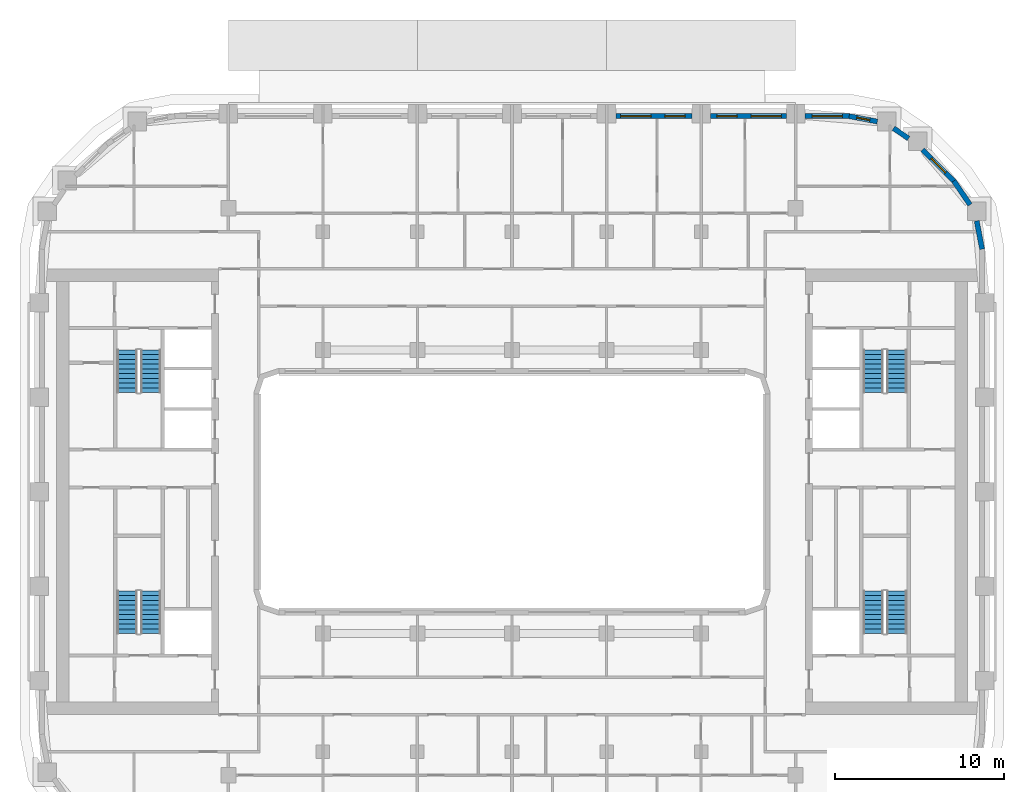
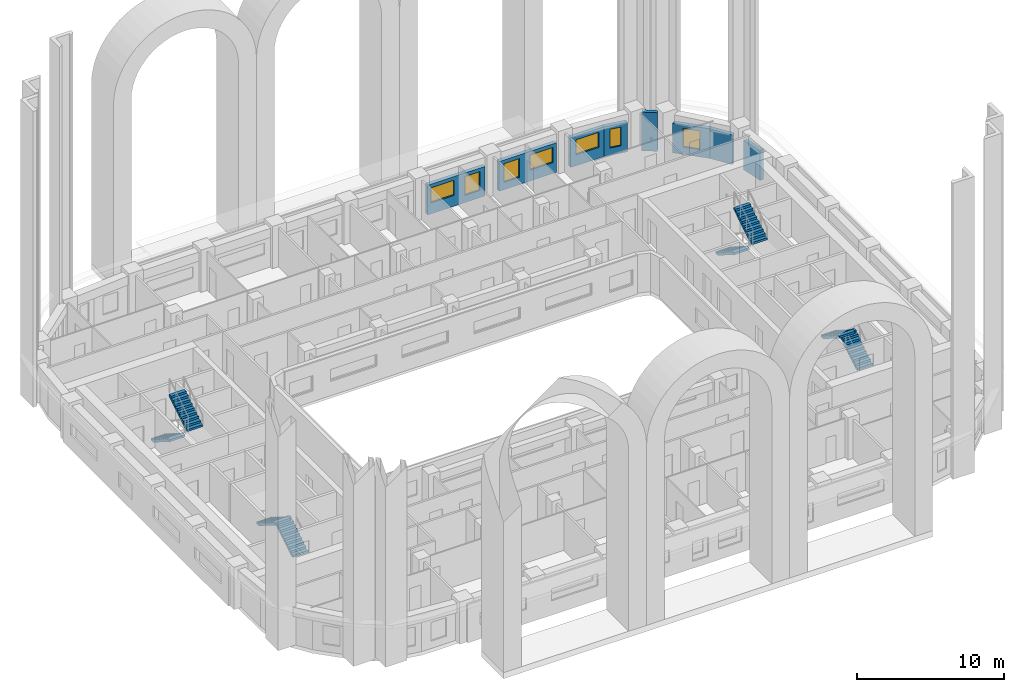
# One storey, part 10 of 18: 8 stair flights, 8 walls, 7 windows, 7 openings, 4 elements without a shape of their own.
"""IFC4 building model written with IfcOpenShell, lengths in metres."""

from ifc_helpers import new_model, si_unit, direction, frame, frame_2d, origin, place, context, subcontext, project, spatial, polyline, rectangle, outline, extrude, material, layer, layer_set, type_object, element, fill, aggregate, save


model = new_model("IFC4")

# Units and contexts
model_context = context("Model", 3, precision=1e-05, world=origin(), true_north=direction((0.0, 1.0)))
body_context = subcontext(model_context, "Body", "Model", "MODEL_VIEW")
ifc_project = project(units=[si_unit("LENGTHUNIT", "METRE"), si_unit("AREAUNIT", "SQUARE_METRE"), si_unit("VOLUMEUNIT", "CUBIC_METRE"), si_unit("PLANEANGLEUNIT", "RADIAN"), si_unit("MASSUNIT", "GRAM", prefix="KILO")], contexts=[model_context])

# Site, building, storey
site_placement = place(None, origin())
site = spatial("IfcSite", under=ifc_project, at=site_placement, CompositionType="ELEMENT")
building_placement = place(site_placement, origin())
building = spatial("IfcBuilding", under=site, at=building_placement, Name="Kiln Ring Residences", CompositionType="ELEMENT")
storey_placement = place(building_placement, frame((0.0, 0.0, 136.10009765625)))
storey = spatial("IfcBuildingStorey", under=building, at=storey_placement, Name="L34", CompositionType="ELEMENT", Elevation=136.10009765625)

# Walls
ifc_material_1 = material(Name="Brick masonry, dark clay brick", Category="masonry")
ifc_layer = layer(ifc_material_1, 0.300048828125)
ifc_layer_set = layer_set([ifc_layer], Name="EW-300 BRICK WALL")
wall_type = type_object("IfcWallType", Name="EW-300 BRICK WALL", PredefinedType="SOLIDWALL", material=ifc_layer_set)
wall_1_placement = place(storey_placement, frame((27.8525390625, 14.371826171875, 0.0), z_axis=(0.0, 0.0, 1.0), x_axis=(-0.187302784601, 0.982302227871, 0.0)))
element("IfcWall", 1, at=wall_1_placement, inside=storey, type_object=wall_type, Name="Facade wall L34 23", PredefinedType="SOLIDWALL", context=body_context, shape_type="SweptSolid", body=[
    extrude(rectangle(XDim=1.706298828125, YDim=0.300048828125, at=frame_2d((0.85302734375, 0.0))), origin(), (0.0, 0.0, 1.0), 2.449951171875),
])
wall_2_placement = place(storey_placement, frame((27.137939453125, 17.001708984375, 0.0), z_axis=(0.0, 0.0, 1.0), x_axis=(-0.562075160946, 0.827086158419, 0.0)))
element("IfcWall", 2, at=wall_2_placement, inside=storey, type_object=wall_type, Name="Facade wall L34 24", PredefinedType="SOLIDWALL", context=body_context, shape_type="SweptSolid", body=[
    extrude(rectangle(XDim=1.7060546875, YDim=0.300048828125, at=frame_2d((0.85302734375, 0.0))), origin(), (0.0, 0.0, 1.0), 2.449951171875),
])

# Wall, opening, window
wall_3_placement = place(storey_placement, frame((26.19677734375, 18.390869140625, 0.0), z_axis=(0.0, 0.0, 1.0), x_axis=(-0.707060717099, 0.707152842274, 0.0)))
wall_3 = element("IfcWall", 3, at=wall_3_placement, inside=storey, type_object=wall_type, Name="Facade wall L34 25", PredefinedType="SOLIDWALL", context=body_context, shape_type="SweptSolid", body=[
    extrude(rectangle(XDim=2.650146484375, YDim=0.300048828125, at=frame_2d((1.3251953125, 0.0))), origin(), (0.0, 0.0, 1.0), 2.449951171875),
])
opening_1_placement = place(wall_3_placement, frame((0.72509765625, 0.0, 0.60009765625)))
opening_1 = element("IfcOpeningElement", 4, at=opening_1_placement, cuts=wall_3, Name="Opening W1", PredefinedType="OPENING", context=body_context, shape_type="SweptSolid", body=[
    extrude(rectangle(XDim=1.199951171875, YDim=1.550048828125, at=frame_2d((0.60009765625, 0.77490234375))), frame((0.0, 0.159912109375, 0.0), z_axis=(0.0, -1.0, 0.0), x_axis=(1.0, 0.0, 0.0)), (0.0, 0.0, 1.0), 0.320068359375),
])
ifc_material_2 = material(Name="Aluminium frame with double glazing", Category="aluminium")
window_type_1 = type_object("IfcWindowType", Name="WINDOW 1200 x 1550", PartitioningType="SINGLE_PANEL", PredefinedType="WINDOW", material=ifc_material_2)
window_1_placement = place(opening_1_placement, origin())
window_1 = element("IfcWindow", 5, at=window_1_placement, inside=storey, type_object=window_type_1, Name="Window L34 16", OverallHeight=1.550048828125, OverallWidth=1.199951171875, PartitioningType="SINGLE_PANEL", PredefinedType="WINDOW", context=body_context, shape_type="SweptSolid", body=[
    extrude(rectangle(XDim=1.199951171875, YDim=1.550048828125, at=frame_2d((0.60009765625, 0.77490234375))), frame((0.0, 0.030029296875, 0.0), z_axis=(0.0, -1.0, 0.0), x_axis=(1.0, 0.0, 0.0)), (0.0, 0.0, 1.0), 0.06005859375),
])
fill(opening_1, window_1)

# Wall
wall_4_placement = place(storey_placement, frame((23.492431640625, 20.932373046875, 0.0), z_axis=(0.0, 0.0, 1.0), x_axis=(-0.826993959827, 0.562210806023, 0.0)))
element("IfcWall", 6, at=wall_4_placement, inside=storey, type_object=wall_type, Name="Facade wall L34 26", PredefinedType="SOLIDWALL", context=body_context, shape_type="SweptSolid", body=[
    extrude(rectangle(XDim=1.076904296875, YDim=0.300048828125, at=frame_2d((0.53857421875, 0.0))), origin(), (0.0, 0.0, 1.0), 3.199951171875),
])

# Wall, opening, window
wall_5_placement = place(storey_placement, frame((21.647705078125, 21.93310546875, 0.0), z_axis=(0.0, 0.0, 1.0), x_axis=(-0.982297206936, 0.187329114784, 0.0)))
wall_5 = element("IfcWall", 7, at=wall_5_placement, inside=storey, type_object=wall_type, Name="Facade wall L34 27", PredefinedType="SOLIDWALL", context=body_context, shape_type="SweptSolid", body=[
    extrude(rectangle(XDim=1.7060546875, YDim=0.300048828125, at=frame_2d((0.85302734375, 0.0))), origin(), (0.0, 0.0, 1.0), 2.449951171875),
])
opening_2_placement = place(wall_5_placement, frame((0.453125, 0.0, 0.60009765625)))
opening_2 = element("IfcOpeningElement", 8, at=opening_2_placement, cuts=wall_5, Name="Opening W5", PredefinedType="OPENING", context=body_context, shape_type="SweptSolid", body=[
    extrude(rectangle(XDim=0.800048828125, YDim=1.550048828125, at=frame_2d((0.39990234375, 0.77490234375))), frame((0.0, 0.159912109375, 0.0), z_axis=(0.0, -1.0, 0.0), x_axis=(1.0, 0.0, 0.0)), (0.0, 0.0, 1.0), 0.320068359375),
])
ifc_material_3 = material(Name="Aluminium frame with double glazing", Category="aluminium")
window_type_2 = type_object("IfcWindowType", Name="WINDOW 800 x 1550", PartitioningType="SINGLE_PANEL", PredefinedType="WINDOW", material=ifc_material_3)
window_2_placement = place(opening_2_placement, origin())
window_2 = element("IfcWindow", 9, at=window_2_placement, inside=storey, type_object=window_type_2, Name="Window L34 17", OverallHeight=1.550048828125, OverallWidth=0.800048828125, PartitioningType="SINGLE_PANEL", PredefinedType="WINDOW", context=body_context, shape_type="SweptSolid", body=[
    extrude(rectangle(XDim=0.800048828125, YDim=1.550048828125, at=frame_2d((0.39990234375, 0.77490234375))), frame((0.0, 0.030029296875, 0.0), z_axis=(0.0, -1.0, 0.0), x_axis=(1.0, 0.0, 0.0)), (0.0, 0.0, 1.0), 0.06005859375),
])
fill(opening_2, window_2)

wall_6_placement = place(storey_placement, frame((20.0, 22.25, 0.0), z_axis=(0.0, 0.0, 1.0), x_axis=(-1.0, 0.0, 0.0)))
wall_6 = element("IfcWall", 10, at=wall_6_placement, inside=storey, type_object=wall_type, Name="Facade wall L34 28", PredefinedType="SOLIDWALL", context=body_context, shape_type="SweptSolid", body=[
    extrude(rectangle(XDim=2.64990234375, YDim=0.300048828125, at=frame_2d((1.324951171875, 0.0))), origin(), (0.0, 0.0, 1.0), 2.449951171875),
])
opening_3_placement = place(wall_6_placement, frame((0.425048828125, 0.0, 0.89990234375)))
opening_3 = element("IfcOpeningElement", 11, at=opening_3_placement, cuts=wall_6, Name="Opening W2", PredefinedType="OPENING", context=body_context, shape_type="SweptSolid", body=[
    extrude(rectangle(XDim=1.800048828125, YDim=1.25, at=frame_2d((0.89990234375, 0.625))), frame((0.0, 0.159912109375, 0.0), z_axis=(0.0, -1.0, 0.0), x_axis=(1.0, 0.0, 0.0)), (0.0, 0.0, 1.0), 0.320068359375),
])
ifc_material_4 = material(Name="Aluminium frame with double glazing", Category="aluminium")
window_type_3 = type_object("IfcWindowType", Name="WINDOW 1800 x 1250", PartitioningType="SINGLE_PANEL", PredefinedType="WINDOW", material=ifc_material_4)
window_3_placement = place(opening_3_placement, origin())
window_3 = element("IfcWindow", 12, at=window_3_placement, inside=storey, type_object=window_type_3, Name="Window L34 18", OverallHeight=1.25, OverallWidth=1.800048828125, PartitioningType="SINGLE_PANEL", PredefinedType="WINDOW", context=body_context, shape_type="SweptSolid", body=[
    extrude(rectangle(XDim=1.800048828125, YDim=1.25, at=frame_2d((0.89990234375, 0.625))), frame((0.0, 0.030029296875, 0.0), z_axis=(0.0, -1.0, 0.0), x_axis=(1.0, 0.0, 0.0)), (0.0, 0.0, 1.0), 0.06005859375),
])
fill(opening_3, window_3)

# Wall, openings, windows
wall_7_placement = place(storey_placement, frame((16.25, 22.25, 0.0), z_axis=(0.0, 0.0, 1.0), x_axis=(-1.0, 0.0, 0.0)))
wall_7 = element("IfcWall", 13, at=wall_7_placement, inside=storey, type_object=wall_type, Name="Facade wall L34 29", PredefinedType="SOLIDWALL", context=body_context, shape_type="SweptSolid", body=[
    extrude(rectangle(XDim=4.5, YDim=0.300048828125, at=frame_2d((2.25, 0.0))), origin(), (0.0, 0.0, 1.0), 2.449951171875),
])
opening_4_placement = place(wall_7_placement, frame((0.28759765625, 0.0, 0.89990234375)))
opening_4 = element("IfcOpeningElement", 14, at=opening_4_placement, cuts=wall_7, Name="Opening W2", PredefinedType="OPENING", context=body_context, shape_type="SweptSolid", body=[
    extrude(rectangle(XDim=1.800048828125, YDim=1.25, at=frame_2d((0.89990234375, 0.625))), frame((0.0, 0.159912109375, 0.0), z_axis=(0.0, -1.0, 0.0), x_axis=(1.0, 0.0, 0.0)), (0.0, 0.0, 1.0), 0.320068359375),
])
opening_5_placement = place(wall_7_placement, frame((2.91259765625, 0.0, 0.60009765625)))
opening_5 = element("IfcOpeningElement", 15, at=opening_5_placement, cuts=wall_7, Name="Opening W1", PredefinedType="OPENING", context=body_context, shape_type="SweptSolid", body=[
    extrude(rectangle(XDim=1.199951171875, YDim=1.550048828125, at=frame_2d((0.60009765625, 0.77490234375))), frame((0.0, 0.159912109375, 0.0), z_axis=(0.0, -1.0, 0.0), x_axis=(1.0, 0.0, 0.0)), (0.0, 0.0, 1.0), 0.320068359375),
])
window_4_placement = place(opening_5_placement, origin())
window_4 = element("IfcWindow", 16, at=window_4_placement, inside=storey, type_object=window_type_1, Name="Window L34 20", OverallHeight=1.550048828125, OverallWidth=1.199951171875, PartitioningType="SINGLE_PANEL", PredefinedType="WINDOW", context=body_context, shape_type="SweptSolid", body=[
    extrude(rectangle(XDim=1.199951171875, YDim=1.550048828125, at=frame_2d((0.60009765625, 0.77490234375))), frame((0.0, 0.030029296875, 0.0), z_axis=(0.0, -1.0, 0.0), x_axis=(1.0, 0.0, 0.0)), (0.0, 0.0, 1.0), 0.06005859375),
])
fill(opening_5, window_4)
window_5_placement = place(opening_4_placement, origin())
window_5 = element("IfcWindow", 17, at=window_5_placement, inside=storey, type_object=window_type_3, Name="Window L34 19", OverallHeight=1.25, OverallWidth=1.800048828125, PartitioningType="SINGLE_PANEL", PredefinedType="WINDOW", context=body_context, shape_type="SweptSolid", body=[
    extrude(rectangle(XDim=1.800048828125, YDim=1.25, at=frame_2d((0.89990234375, 0.625))), frame((0.0, 0.030029296875, 0.0), z_axis=(0.0, -1.0, 0.0), x_axis=(1.0, 0.0, 0.0)), (0.0, 0.0, 1.0), 0.06005859375),
])
fill(opening_4, window_5)

wall_8_placement = place(storey_placement, frame((10.64990234375, 22.25, 0.0), z_axis=(0.0, 0.0, 1.0), x_axis=(-1.0, 0.0, 0.0)))
wall_8 = element("IfcWall", 18, at=wall_8_placement, inside=storey, type_object=wall_type, Name="Facade wall L34 30", PredefinedType="SOLIDWALL", context=body_context, shape_type="SweptSolid", body=[
    extrude(rectangle(XDim=4.5, YDim=0.300048828125, at=frame_2d((2.25, 0.0))), origin(), (0.0, 0.0, 1.0), 2.449951171875),
])
opening_6_placement = place(wall_8_placement, frame((0.387451171875, 0.0, 0.60009765625)))
opening_6 = element("IfcOpeningElement", 19, at=opening_6_placement, cuts=wall_8, Name="Opening W1", PredefinedType="OPENING", context=body_context, shape_type="SweptSolid", body=[
    extrude(rectangle(XDim=1.199951171875, YDim=1.550048828125, at=frame_2d((0.60009765625, 0.77490234375))), frame((0.0, 0.159912109375, 0.0), z_axis=(0.0, -1.0, 0.0), x_axis=(1.0, 0.0, 0.0)), (0.0, 0.0, 1.0), 0.320068359375),
])
opening_7_placement = place(wall_8_placement, frame((2.41259765625, 0.0, 0.89990234375)))
opening_7 = element("IfcOpeningElement", 20, at=opening_7_placement, cuts=wall_8, Name="Opening W2", PredefinedType="OPENING", context=body_context, shape_type="SweptSolid", body=[
    extrude(rectangle(XDim=1.800048828125, YDim=1.25, at=frame_2d((0.89990234375, 0.625))), frame((0.0, 0.159912109375, 0.0), z_axis=(0.0, -1.0, 0.0), x_axis=(1.0, 0.0, 0.0)), (0.0, 0.0, 1.0), 0.320068359375),
])
window_6_placement = place(opening_6_placement, origin())
window_6 = element("IfcWindow", 21, at=window_6_placement, inside=storey, type_object=window_type_1, Name="Window L34 21", OverallHeight=1.550048828125, OverallWidth=1.199951171875, PartitioningType="SINGLE_PANEL", PredefinedType="WINDOW", context=body_context, shape_type="SweptSolid", body=[
    extrude(rectangle(XDim=1.199951171875, YDim=1.550048828125, at=frame_2d((0.60009765625, 0.77490234375))), frame((0.0, 0.030029296875, 0.0), z_axis=(0.0, -1.0, 0.0), x_axis=(1.0, 0.0, 0.0)), (0.0, 0.0, 1.0), 0.06005859375),
])
fill(opening_6, window_6)
window_7_placement = place(opening_7_placement, origin())
window_7 = element("IfcWindow", 22, at=window_7_placement, inside=storey, type_object=window_type_3, Name="Window L34 22", OverallHeight=1.25, OverallWidth=1.800048828125, PartitioningType="SINGLE_PANEL", PredefinedType="WINDOW", context=body_context, shape_type="SweptSolid", body=[
    extrude(rectangle(XDim=1.800048828125, YDim=1.25, at=frame_2d((0.89990234375, 0.625))), frame((0.0, 0.030029296875, 0.0), z_axis=(0.0, -1.0, 0.0), x_axis=(1.0, 0.0, 0.0)), (0.0, 0.0, 1.0), 0.06005859375),
])
fill(opening_7, window_7)

# Stair, stair flights
ifc_material_5 = material(Name="Concrete C40/50", Category="concrete")
stair_type = type_object("IfcStairType", Name="CORE-STAIR", PredefinedType="HALF_TURN_STAIR", material=ifc_material_5)
placement = place(storey_placement, origin())
stair_1 = element("IfcStair", 23, at=placement, inside=storey, type_object=stair_type, Name="L34 stair W-STN", PredefinedType="HALF_TURN_STAIR")
ifc_material_6 = material(Name="Concrete C40/50", Category="concrete")
stair_flight_type = type_object("IfcStairFlightType", Name="CORE-STAIR-FLIGHT", PredefinedType="STRAIGHT", material=ifc_material_6)
stair_flight_1_placement = place(storey_placement, frame((-22.800048828125, 8.39990234375, 0.0), z_axis=(0.0, 0.0, 1.0), x_axis=(0.0, -1.0, 0.0)))
stair_flight_1 = element("IfcStairFlight", 24, at=stair_flight_1_placement, type_object=stair_flight_type, Name="W-STN flight 1", NumberOfRisers=10, NumberOfTreads=9, PredefinedType="STRAIGHT", RiserHeight=0.175, TreadLength=0.28, context=body_context, shape_type="SweptSolid", body=[
    extrude(outline(polyline([(0.0, 0.0), (0.0, 0.175048828125), (0.280029296875, 0.175048828125), (0.280029296875, 0.35009765625), (0.56005859375, 0.35009765625), (0.56005859375, 0.52490234375), (0.840087890625, 0.52490234375), (0.840087890625, 0.699951171875), (1.1201171875, 0.699951171875), (1.1201171875, 0.875), (1.39990234375, 0.875), (1.39990234375, 1.050048828125), (1.679931640625, 1.050048828125), (1.679931640625, 1.22509765625), (1.9599609375, 1.22509765625), (1.9599609375, 1.39990234375), (2.239990234375, 1.39990234375), (2.239990234375, 1.574951171875), (2.52001953125, 1.574951171875), (2.52001953125, 1.75), (2.52001953125, 1.398193359375), (0.28271484375, 0.0), (0.0, 0.0)])), frame((0.0, 0.60009765625, 0.0), z_axis=(0.0, -1.0, 0.0), x_axis=(1.0, 0.0, 0.0)), (0.0, 0.0, 1.0), 1.199951171875),
])
stair_flight_2_placement = place(storey_placement, frame((-21.39990234375, 5.8798828125, 1.75), z_axis=(0.0, 0.0, 1.0), x_axis=(0.0, 1.0, 0.0)))
stair_flight_2 = element("IfcStairFlight", 25, at=stair_flight_2_placement, type_object=stair_flight_type, Name="W-STN flight 2", NumberOfRisers=10, NumberOfTreads=9, PredefinedType="STRAIGHT", RiserHeight=0.175, TreadLength=0.28, context=body_context, shape_type="SweptSolid", body=[
    extrude(outline(polyline([(0.0, 0.0), (0.0, 0.175048828125), (0.280029296875, 0.175048828125), (0.280029296875, 0.35009765625), (0.56005859375, 0.35009765625), (0.56005859375, 0.52490234375), (0.840087890625, 0.52490234375), (0.840087890625, 0.699951171875), (1.1201171875, 0.699951171875), (1.1201171875, 0.875), (1.39990234375, 0.875), (1.39990234375, 1.050048828125), (1.679931640625, 1.050048828125), (1.679931640625, 1.22509765625), (1.9599609375, 1.22509765625), (1.9599609375, 1.39990234375), (2.239990234375, 1.39990234375), (2.239990234375, 1.574951171875), (2.52001953125, 1.574951171875), (2.52001953125, 1.75), (2.52001953125, 1.398193359375), (0.28271484375, 0.0), (0.0, 0.0)])), frame((0.0, 0.60009765625, 0.0), z_axis=(0.0, -1.0, 0.0), x_axis=(1.0, 0.0, 0.0)), (0.0, 0.0, 1.0), 1.199951171875),
])
aggregate(stair_1, [stair_flight_1, stair_flight_2])

stair_2 = element("IfcStair", 26, at=placement, inside=storey, type_object=stair_type, Name="L34 stair W-STS", PredefinedType="HALF_TURN_STAIR")
stair_flight_3_placement = place(storey_placement, frame((-21.39990234375, -8.39990234375, 0.0), z_axis=(0.0, 0.0, 1.0), x_axis=(0.0, 1.0, 0.0)))
stair_flight_3 = element("IfcStairFlight", 27, at=stair_flight_3_placement, type_object=stair_flight_type, Name="W-STS flight 1", NumberOfRisers=10, NumberOfTreads=9, PredefinedType="STRAIGHT", RiserHeight=0.175, TreadLength=0.28, context=body_context, shape_type="SweptSolid", body=[
    extrude(outline(polyline([(0.0, 0.0), (0.0, 0.175048828125), (0.280029296875, 0.175048828125), (0.280029296875, 0.35009765625), (0.56005859375, 0.35009765625), (0.56005859375, 0.52490234375), (0.840087890625, 0.52490234375), (0.840087890625, 0.699951171875), (1.1201171875, 0.699951171875), (1.1201171875, 0.875), (1.39990234375, 0.875), (1.39990234375, 1.050048828125), (1.679931640625, 1.050048828125), (1.679931640625, 1.22509765625), (1.9599609375, 1.22509765625), (1.9599609375, 1.39990234375), (2.239990234375, 1.39990234375), (2.239990234375, 1.574951171875), (2.52001953125, 1.574951171875), (2.52001953125, 1.75), (2.52001953125, 1.398193359375), (0.28271484375, 0.0), (0.0, 0.0)])), frame((0.0, 0.60009765625, 0.0), z_axis=(0.0, -1.0, 0.0), x_axis=(1.0, 0.0, 0.0)), (0.0, 0.0, 1.0), 1.199951171875),
])
stair_flight_4_placement = place(storey_placement, frame((-22.800048828125, -5.8798828125, 1.75), z_axis=(0.0, 0.0, 1.0), x_axis=(0.0, -1.0, 0.0)))
stair_flight_4 = element("IfcStairFlight", 28, at=stair_flight_4_placement, type_object=stair_flight_type, Name="W-STS flight 2", NumberOfRisers=10, NumberOfTreads=9, PredefinedType="STRAIGHT", RiserHeight=0.175, TreadLength=0.28, context=body_context, shape_type="SweptSolid", body=[
    extrude(outline(polyline([(0.0, 0.0), (0.0, 0.175048828125), (0.280029296875, 0.175048828125), (0.280029296875, 0.35009765625), (0.56005859375, 0.35009765625), (0.56005859375, 0.52490234375), (0.840087890625, 0.52490234375), (0.840087890625, 0.699951171875), (1.1201171875, 0.699951171875), (1.1201171875, 0.875), (1.39990234375, 0.875), (1.39990234375, 1.050048828125), (1.679931640625, 1.050048828125), (1.679931640625, 1.22509765625), (1.9599609375, 1.22509765625), (1.9599609375, 1.39990234375), (2.239990234375, 1.39990234375), (2.239990234375, 1.574951171875), (2.52001953125, 1.574951171875), (2.52001953125, 1.75), (2.52001953125, 1.398193359375), (0.28271484375, 0.0), (0.0, 0.0)])), frame((0.0, 0.60009765625, 0.0), z_axis=(0.0, -1.0, 0.0), x_axis=(1.0, 0.0, 0.0)), (0.0, 0.0, 1.0), 1.199951171875),
])
aggregate(stair_2, [stair_flight_3, stair_flight_4])

stair_3 = element("IfcStair", 29, at=placement, inside=storey, type_object=stair_type, Name="L34 stair E-STN", PredefinedType="HALF_TURN_STAIR")
stair_flight_5_placement = place(storey_placement, frame((21.39990234375, 8.39990234375, 0.0), z_axis=(0.0, 0.0, 1.0), x_axis=(0.0, -1.0, 0.0)))
stair_flight_5 = element("IfcStairFlight", 30, at=stair_flight_5_placement, type_object=stair_flight_type, Name="E-STN flight 1", NumberOfRisers=10, NumberOfTreads=9, PredefinedType="STRAIGHT", RiserHeight=0.175, TreadLength=0.28, context=body_context, shape_type="SweptSolid", body=[
    extrude(outline(polyline([(0.0, 0.0), (0.0, 0.175048828125), (0.280029296875, 0.175048828125), (0.280029296875, 0.35009765625), (0.56005859375, 0.35009765625), (0.56005859375, 0.52490234375), (0.840087890625, 0.52490234375), (0.840087890625, 0.699951171875), (1.1201171875, 0.699951171875), (1.1201171875, 0.875), (1.39990234375, 0.875), (1.39990234375, 1.050048828125), (1.679931640625, 1.050048828125), (1.679931640625, 1.22509765625), (1.9599609375, 1.22509765625), (1.9599609375, 1.39990234375), (2.239990234375, 1.39990234375), (2.239990234375, 1.574951171875), (2.52001953125, 1.574951171875), (2.52001953125, 1.75), (2.52001953125, 1.398193359375), (0.28271484375, 0.0), (0.0, 0.0)])), frame((0.0, 0.60009765625, 0.0), z_axis=(0.0, -1.0, 0.0), x_axis=(1.0, 0.0, 0.0)), (0.0, 0.0, 1.0), 1.199951171875),
])
stair_flight_6_placement = place(storey_placement, frame((22.800048828125, 5.8798828125, 1.75), z_axis=(0.0, 0.0, 1.0), x_axis=(0.0, 1.0, 0.0)))
stair_flight_6 = element("IfcStairFlight", 31, at=stair_flight_6_placement, type_object=stair_flight_type, Name="E-STN flight 2", NumberOfRisers=10, NumberOfTreads=9, PredefinedType="STRAIGHT", RiserHeight=0.175, TreadLength=0.28, context=body_context, shape_type="SweptSolid", body=[
    extrude(outline(polyline([(0.0, 0.0), (0.0, 0.175048828125), (0.280029296875, 0.175048828125), (0.280029296875, 0.35009765625), (0.56005859375, 0.35009765625), (0.56005859375, 0.52490234375), (0.840087890625, 0.52490234375), (0.840087890625, 0.699951171875), (1.1201171875, 0.699951171875), (1.1201171875, 0.875), (1.39990234375, 0.875), (1.39990234375, 1.050048828125), (1.679931640625, 1.050048828125), (1.679931640625, 1.22509765625), (1.9599609375, 1.22509765625), (1.9599609375, 1.39990234375), (2.239990234375, 1.39990234375), (2.239990234375, 1.574951171875), (2.52001953125, 1.574951171875), (2.52001953125, 1.75), (2.52001953125, 1.398193359375), (0.28271484375, 0.0), (0.0, 0.0)])), frame((0.0, 0.60009765625, 0.0), z_axis=(0.0, -1.0, 0.0), x_axis=(1.0, 0.0, 0.0)), (0.0, 0.0, 1.0), 1.199951171875),
])
aggregate(stair_3, [stair_flight_5, stair_flight_6])

stair_4 = element("IfcStair", 32, at=placement, inside=storey, type_object=stair_type, Name="L34 stair E-STS", PredefinedType="HALF_TURN_STAIR")
stair_flight_7_placement = place(storey_placement, frame((22.800048828125, -8.39990234375, 0.0), z_axis=(0.0, 0.0, 1.0), x_axis=(0.0, 1.0, 0.0)))
stair_flight_7 = element("IfcStairFlight", 33, at=stair_flight_7_placement, type_object=stair_flight_type, Name="E-STS flight 1", NumberOfRisers=10, NumberOfTreads=9, PredefinedType="STRAIGHT", RiserHeight=0.175, TreadLength=0.28, context=body_context, shape_type="SweptSolid", body=[
    extrude(outline(polyline([(0.0, 0.0), (0.0, 0.175048828125), (0.280029296875, 0.175048828125), (0.280029296875, 0.35009765625), (0.56005859375, 0.35009765625), (0.56005859375, 0.52490234375), (0.840087890625, 0.52490234375), (0.840087890625, 0.699951171875), (1.1201171875, 0.699951171875), (1.1201171875, 0.875), (1.39990234375, 0.875), (1.39990234375, 1.050048828125), (1.679931640625, 1.050048828125), (1.679931640625, 1.22509765625), (1.9599609375, 1.22509765625), (1.9599609375, 1.39990234375), (2.239990234375, 1.39990234375), (2.239990234375, 1.574951171875), (2.52001953125, 1.574951171875), (2.52001953125, 1.75), (2.52001953125, 1.398193359375), (0.28271484375, 0.0), (0.0, 0.0)])), frame((0.0, 0.60009765625, 0.0), z_axis=(0.0, -1.0, 0.0), x_axis=(1.0, 0.0, 0.0)), (0.0, 0.0, 1.0), 1.199951171875),
])
stair_flight_8_placement = place(storey_placement, frame((21.39990234375, -5.8798828125, 1.75), z_axis=(0.0, 0.0, 1.0), x_axis=(0.0, -1.0, 0.0)))
stair_flight_8 = element("IfcStairFlight", 34, at=stair_flight_8_placement, type_object=stair_flight_type, Name="E-STS flight 2", NumberOfRisers=10, NumberOfTreads=9, PredefinedType="STRAIGHT", RiserHeight=0.175, TreadLength=0.28, context=body_context, shape_type="SweptSolid", body=[
    extrude(outline(polyline([(0.0, 0.0), (0.0, 0.175048828125), (0.280029296875, 0.175048828125), (0.280029296875, 0.35009765625), (0.56005859375, 0.35009765625), (0.56005859375, 0.52490234375), (0.840087890625, 0.52490234375), (0.840087890625, 0.699951171875), (1.1201171875, 0.699951171875), (1.1201171875, 0.875), (1.39990234375, 0.875), (1.39990234375, 1.050048828125), (1.679931640625, 1.050048828125), (1.679931640625, 1.22509765625), (1.9599609375, 1.22509765625), (1.9599609375, 1.39990234375), (2.239990234375, 1.39990234375), (2.239990234375, 1.574951171875), (2.52001953125, 1.574951171875), (2.52001953125, 1.75), (2.52001953125, 1.398193359375), (0.28271484375, 0.0), (0.0, 0.0)])), frame((0.0, 0.60009765625, 0.0), z_axis=(0.0, -1.0, 0.0), x_axis=(1.0, 0.0, 0.0)), (0.0, 0.0, 1.0), 1.199951171875),
])
aggregate(stair_4, [stair_flight_7, stair_flight_8])

save(model, "model.ifc")
